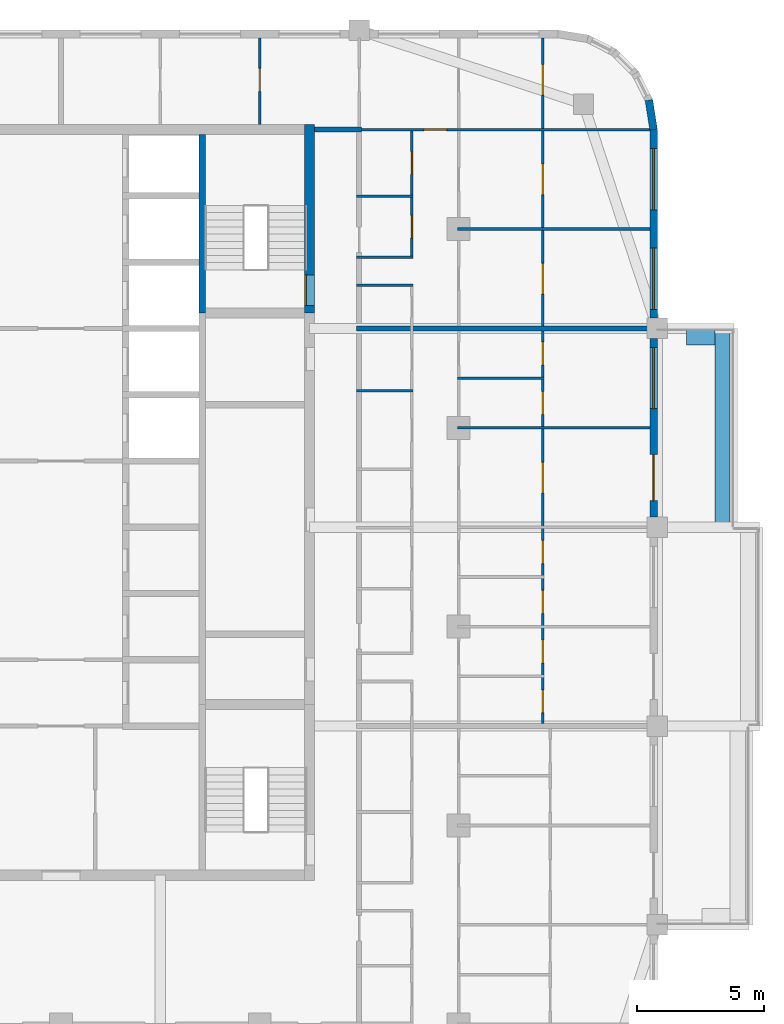
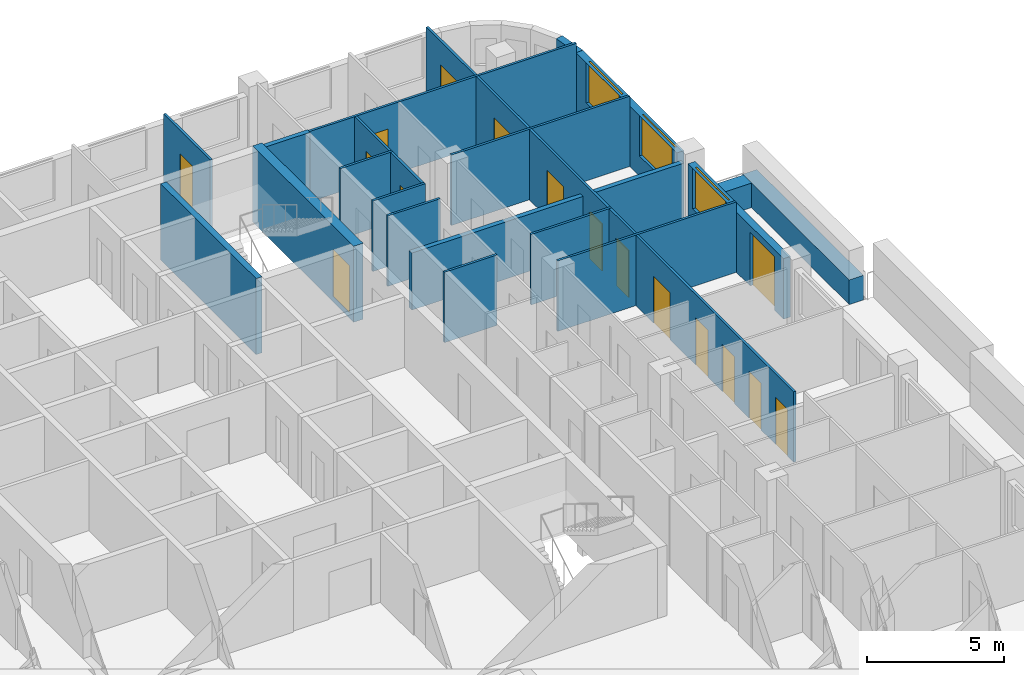
# One storey, part 11 of 16: 20 walls, 16 doors, 3 windows, 19 openings.
"""IFC4 building model written with IfcOpenShell, lengths in metres."""

import ifcopenshell
import ifcopenshell.guid

model = None  # the IFC model being written
_history = None  # IfcOwnerHistory: only IFC2X3 demands one
_inside = {}  # id of a spatial element -> (the spatial element, [elements in it])
_under = {}  # id of a project, library or spatial element -> (it, [spatial elements below it])
_declared = {}  # id of a project -> (the project, [libraries it declares])
_typed = {}  # id of a type object -> (the type object, [elements of that type])
_made_of = {}  # id of a material, layer set ... -> (it, [elements and type objects made of it])


def new_model(schema):
    """Start an empty IFC model of exactly this schema.

    Asked for "IFC4X3", IfcOpenShell would pick the latest addendum, in which some entities
    have other attributes; the version numbers below select the first issue.
    IFC2X3 requires an IfcOwnerHistory on every rooted entity: one is made here for all.
    """
    global model, _history
    if schema == "IFC4X3":
        model = ifcopenshell.file(schema_version=(4, 3, 0, 0))
    else:
        model = ifcopenshell.file(schema=schema)
    _inside.clear()
    _under.clear()
    _declared.clear()
    _typed.clear()
    _made_of.clear()
    _history = None
    if model.schema == "IFC2X3":
        org = make("IfcOrganization", Name="unknown")
        user = make(
            "IfcPersonAndOrganization",
            ThePerson=make("IfcPerson", FamilyName="unknown"),
            TheOrganization=org,
        )
        app = make(
            "IfcApplication",
            ApplicationDeveloper=org,
            Version="unknown",
            ApplicationFullName="unknown",
            ApplicationIdentifier="unknown",
        )
        _history = make(
            "IfcOwnerHistory",
            OwningUser=user,
            OwningApplication=app,
            ChangeAction="ADDED",
            CreationDate=0,
        )
    return model


def make(cls, **values):
    """One entity of the class cls with the attributes given. An attribute that is None is left unset."""
    return model.create_entity(
        cls, **{name: value for name, value in values.items() if value is not None}
    )


def rooted(cls, **values):
    """An entity with a GlobalId (a new one), such as an element, a storey or a relation."""
    return make(cls, GlobalId=ifcopenshell.guid.new(), OwnerHistory=_history, **values)


def si_unit(unit_type, name, prefix=None):
    """IfcSIUnit, for example si_unit("LENGTHUNIT", "METRE", prefix="MILLI")."""
    return make("IfcSIUnit", UnitType=unit_type, Prefix=prefix, Name=name)


def assignment(units):
    """IfcUnitAssignment: the units of a project."""
    return None if units is None else make("IfcUnitAssignment", Units=units)


def point(xyz):
    """IfcCartesianPoint."""
    return None if xyz is None else make("IfcCartesianPoint", Coordinates=xyz)


def direction(xyz):
    """IfcDirection."""
    return None if xyz is None else make("IfcDirection", DirectionRatios=xyz)


def frame(location, z_axis=None, x_axis=None):
    """IfcAxis2Placement3D, a coordinate frame: its origin and axes. An axis left out is left unset."""
    return make(
        "IfcAxis2Placement3D",
        Location=point(location),
        Axis=direction(z_axis),
        RefDirection=direction(x_axis),
    )


def frame_2d(location, x_axis=None):
    """IfcAxis2Placement2D, a coordinate frame in the plane: its origin and x axis."""
    return make(
        "IfcAxis2Placement2D", Location=point(location), RefDirection=direction(x_axis)
    )


def origin():
    """The frame at (0, 0, 0) with its axes left unset."""
    return frame((0.0, 0.0, 0.0))


def place(relative_to, where):
    """IfcLocalPlacement: puts the frame where relative to a parent placement (None: the world)."""
    return make(
        "IfcLocalPlacement", PlacementRelTo=relative_to, RelativePlacement=where
    )


def context(
    kind, dimensions, precision=None, world=None, true_north=None, identifier=None
):
    """IfcGeometricRepresentationContext, for example the 3D "Model" context."""
    return make(
        "IfcGeometricRepresentationContext",
        ContextIdentifier=identifier,
        ContextType=kind,
        CoordinateSpaceDimension=dimensions,
        Precision=precision,
        WorldCoordinateSystem=world,
        TrueNorth=true_north,
    )


def subcontext(parent, identifier, kind, view, scale=None):
    """IfcGeometricRepresentationSubContext, for example "Body" below "Model"."""
    return make(
        "IfcGeometricRepresentationSubContext",
        ContextIdentifier=identifier,
        ContextType=kind,
        ParentContext=parent,
        TargetScale=scale,
        TargetView=view,
    )


def project(units=None, contexts=None):
    """IfcProject with its units and contexts."""
    return rooted(
        "IfcProject",
        Name="project",
        RepresentationContexts=contexts,
        UnitsInContext=assignment(units),
    )


def spatial(cls, under=None, at=None, **own):
    """A site, building, storey or space (cls), placed at a placement, below another one or the project."""
    s = rooted(cls, ObjectPlacement=at, **own)
    if under is not None:
        _under.setdefault(under.id(), (under, []))[1].append(s)
    return s


def profile(cls, at=None, kind="AREA", **sizes):
    """A parametric profile (cls). Its sizes go by their IFC names, for example OverallWidth=200.0."""
    return make(cls, ProfileType=kind, Position=at, **sizes)


def rectangle(**sizes):
    """IfcRectangleProfileDef."""
    return profile("IfcRectangleProfileDef", **sizes)


def extrude(swept, where, along, depth):
    """IfcExtrudedAreaSolid: the profile swept, set in the frame where, extruded along a direction by depth."""
    return make(
        "IfcExtrudedAreaSolid",
        SweptArea=swept,
        Position=where,
        ExtrudedDirection=direction(along),
        Depth=depth,
    )


def shape(context_of_items, identifier, shape_type, items):
    """IfcShapeRepresentation: the items that make up one representation, for example the "Body"."""
    return make(
        "IfcShapeRepresentation",
        ContextOfItems=context_of_items,
        RepresentationIdentifier=identifier,
        RepresentationType=shape_type,
        Items=items,
    )


def material(Name=None, Category=None):
    """IfcMaterial."""
    return make("IfcMaterial", Name=Name, Category=Category)


def layer(
    of_material, thickness, ventilated=None, Name=None, Category=None, Priority=None
):
    """IfcMaterialLayer: one layer of a wall or slab, of a material (None: an air gap)."""
    return make(
        "IfcMaterialLayer",
        Material=of_material,
        LayerThickness=thickness,
        IsVentilated=ventilated,
        Name=Name,
        Category=Category,
        Priority=Priority,
    )


def layer_set(layers, Name=None):
    """IfcMaterialLayerSet."""
    return make("IfcMaterialLayerSet", MaterialLayers=layers, LayerSetName=Name)


def made_of(thing, what):
    """Note that an element or type object is made of a material, layer set ...; save() writes the relation."""
    if what is not None:
        _made_of.setdefault(what.id(), (what, []))[1].append(thing)
    return thing


def type_object(cls, material=None, **own):
    """A type object (cls), such as IfcWallType, which elements share."""
    return made_of(rooted(cls, **own), material)


def element(
    cls,
    number,
    at=None,
    inside=None,
    cuts=None,
    type_object=None,
    material=None,
    context=None,
    identifier="Body",
    shape_type=None,
    held_by="IfcProductDefinitionShape",
    body=None,
    shapes=None,
    **own,
):
    """One element of the class cls, such as IfcWall. Its Tag is "e" and its number.

    at: its placement. inside: the storey or other place that contains it. cuts: it is an
    opening in that element (IfcRelVoidsElement). A single representation is given by context,
    identifier, shape_type and body (its items); several are given by shapes. held_by: the class
    of the entity that holds the representations. save() writes the other relations.
    """
    e = rooted(cls, Tag="e%d" % number, ObjectPlacement=at, **own)
    if body is not None:
        shapes = [shape(context, identifier, shape_type, body)]
    if shapes is not None:
        e.Representation = make(held_by, Representations=shapes)
    if inside is not None:
        _inside.setdefault(inside.id(), (inside, []))[1].append(e)
    if cuts is not None:
        rooted(
            "IfcRelVoidsElement", RelatingBuildingElement=cuts, RelatedOpeningElement=e
        )
    if type_object is not None:
        _typed.setdefault(type_object.id(), (type_object, []))[1].append(e)
    return made_of(e, material)


def fill(opening, filler):
    """IfcRelFillsElement: the door or window that sits in an opening."""
    return rooted(
        "IfcRelFillsElement",
        RelatingOpeningElement=opening,
        RelatedBuildingElement=filler,
    )


def aggregate(whole, parts):
    """IfcRelAggregates: a whole, such as a stair, and the parts it consists of."""
    return rooted("IfcRelAggregates", RelatingObject=whole, RelatedObjects=parts)


def save(model, path):
    """Write the relations noted so far, then the file.

    IfcRelAggregates (storeys below a building ...), IfcRelContainedInSpatialStructure (elements
    in a storey), IfcRelDefinesByType, IfcRelAssociatesMaterial and IfcRelDeclares: one each for
    every whole, place, type object, material and project.
    """
    for whole, parts in _under.values():
        aggregate(whole, parts)
    for where, things in _inside.values():
        rooted(
            "IfcRelContainedInSpatialStructure",
            RelatedElements=things,
            RelatingStructure=where,
        )
    for kind, things in _typed.values():
        rooted("IfcRelDefinesByType", RelatedObjects=things, RelatingType=kind)
    for what, things in _made_of.values():
        rooted("IfcRelAssociatesMaterial", RelatedObjects=things, RelatingMaterial=what)
    for by, libraries in _declared.values():
        rooted("IfcRelDeclares", RelatingContext=by, RelatedDefinitions=libraries)
    model.write(path)


model = new_model("IFC4")

# Units and contexts
model_context = context("Model", 3, precision=1e-05, world=origin(), true_north=direction((0.0, 1.0)))
body_context = subcontext(model_context, "Body", "Model", "MODEL_VIEW")
ifc_project = project(units=[si_unit("LENGTHUNIT", "METRE"), si_unit("AREAUNIT", "SQUARE_METRE"), si_unit("VOLUMEUNIT", "CUBIC_METRE"), si_unit("PLANEANGLEUNIT", "RADIAN"), si_unit("MASSUNIT", "GRAM", prefix="KILO")], contexts=[model_context])

# Site, building, storey
site_placement = place(None, origin())
site = spatial("IfcSite", under=ifc_project, at=site_placement, CompositionType="ELEMENT")
building_placement = place(site_placement, origin())
building = spatial("IfcBuilding", under=site, at=building_placement, Name="Ludao Terraces", CompositionType="ELEMENT")
storey_placement = place(building_placement, frame((0.0, 0.0, 234.699951171875)))
storey = spatial("IfcBuildingStorey", under=building, at=storey_placement, Name="L64", CompositionType="ELEMENT", Elevation=234.699951171875)

# Wall, opening, door
ifc_material_1 = material(Name="Concrete C50", Category="concrete")
ifc_layer_1 = layer(ifc_material_1, 0.39990234375)
ifc_layer_set_1 = layer_set([ifc_layer_1], Name="Core wall 400 C50")
wall_type_1 = type_object("IfcWallType", Name="Core wall 400 C50", PredefinedType="SOLIDWALL", material=ifc_layer_set_1)
wall_1_placement = place(storey_placement, frame((94.75, 77.300048828125, -0.25), z_axis=(0.0, 0.0, 1.0), x_axis=(0.0, 1.0, 0.0)))
wall_1 = element("IfcWall", 1, at=wall_1_placement, inside=storey, type_object=wall_type_1, Name="Core wall L64 outer-E-S2", PredefinedType="SOLIDWALL", context=body_context, shape_type="SweptSolid", body=[
    extrude(rectangle(XDim=7.39990234375, YDim=0.39990234375, at=frame_2d((3.699951171875, 0.0))), origin(), (0.0, 0.0, 1.0), 3.400146484375),
])
opening_1_placement = place(wall_1_placement, frame((0.300048828125, 0.0, 0.25)))
opening_1 = element("IfcOpeningElement", 2, at=opening_1_placement, cuts=wall_1, Name="Opening R23-114", PredefinedType="OPENING", context=body_context, shape_type="SweptSolid", body=[
    extrude(rectangle(XDim=1.199951171875, YDim=2.10009765625, at=frame_2d((0.60009765625, 1.050048828125))), frame((0.0, 0.2099609375, 0.0), z_axis=(0.0, -1.0, 0.0), x_axis=(1.0, 0.0, 0.0)), (0.0, 0.0, 1.0), 0.419921875),
])
ifc_material_2 = material(Name="Steel Q235", Category="steel")
door_type_1 = type_object("IfcDoorType", Name="INT Stair door 1200", OperationType="DOUBLE_DOOR_SINGLE_SWING", PredefinedType="DOOR", material=ifc_material_2)
door_1_placement = place(opening_1_placement, origin())
door_1 = element("IfcDoor", 3, at=door_1_placement, inside=storey, type_object=door_type_1, Name="DOOR 114", OperationType="DOUBLE_DOOR_SINGLE_SWING", OverallHeight=2.10009765625, OverallWidth=1.199951171875, PredefinedType="DOOR", context=body_context, shape_type="SweptSolid", body=[
    extrude(rectangle(XDim=1.199951171875, YDim=2.10009765625, at=frame_2d((0.60009765625, 1.050048828125))), frame((0.0, 0.18505859375, 0.0), z_axis=(0.0, -1.0, 0.0), x_axis=(1.0, 0.0, 0.0)), (0.0, 0.0, 1.0), 0.050048828125),
])
fill(opening_1, door_1)

# Walls
ifc_material_3 = material(Name="Concrete C40", Category="concrete")
ifc_layer_2 = layer(ifc_material_3, 0.60009765625)
ifc_layer_set_2 = layer_set([ifc_layer_2], Name="ENV Planter trough 600")
wall_type_2 = type_object("IfcWallType", Name="ENV Planter trough 600", PredefinedType="USERDEFINED", material=ifc_layer_set_2)
wall_2_placement = place(storey_placement, frame((110.949951171875, 68.89990234375, 0.0), z_axis=(0.0, 0.0, 1.0), x_axis=(0.0, 1.0, 0.0)))
element("IfcWall", 4, at=wall_2_placement, inside=storey, type_object=wall_type_2, Name="PL-L64-E3", ObjectType="PLANTER", PredefinedType="USERDEFINED", context=body_context, shape_type="SweptSolid", body=[
    extrude(rectangle(XDim=7.800048828125, YDim=0.60009765625, at=frame_2d((3.89990234375, 0.0))), origin(), (0.0, 0.0, 1.0), 1.10009765625),
])
wall_3_placement = place(storey_placement, frame((110.64990234375, 76.35009765625, 0.0), z_axis=(0.0, 0.0, 1.0), x_axis=(-1.0, 0.0, 0.0)))
element("IfcWall", 5, at=wall_3_placement, inside=storey, type_object=wall_type_2, Name="PL-L64-E3-SB", ObjectType="PLANTER", PredefinedType="USERDEFINED", context=body_context, shape_type="SweptSolid", body=[
    extrude(rectangle(XDim=1.099853515625, YDim=0.60009765625, at=frame_2d((0.5498046875, 0.0))), origin(), (0.0, 0.0, 1.0), 1.10009765625),
])

# Wall, openings, door, window
ifc_material_4 = material(Name="Granite cladding", Category="masonry")
ifc_layer_3 = layer(ifc_material_4, 0.0400390625, Category="stone")
ifc_material_5 = material(Name="Mineral wool")
ifc_layer_4 = layer(ifc_material_5, 0.06005859375)
ifc_layer_5 = layer(ifc_material_3, 0.199951171875, Category="concrete")
ifc_layer_set_3 = layer_set([ifc_layer_3, ifc_layer_4, ifc_layer_5], Name="ENV Stone-clad wall 300")
wall_type_3 = type_object("IfcWallType", Name="ENV Stone-clad wall 300", PredefinedType="SOLIDWALL", material=ifc_layer_set_3)
wall_4_placement = place(storey_placement, frame((108.25, 69.300048828125, 0.0), z_axis=(0.0, 0.0, 1.0), x_axis=(0.0, 1.0, 0.0)))
wall_4 = element("IfcWall", 6, at=wall_4_placement, inside=storey, type_object=wall_type_3, Name="EW-L64-E4", PredefinedType="SOLIDWALL", context=body_context, shape_type="SweptSolid", body=[
    extrude(rectangle(XDim=7.0, YDim=0.300048828125, at=frame_2d((3.5, 0.0))), origin(), (0.0, 0.0, 1.0), 2.699951171875),
])
opening_2_placement = place(wall_4_placement, frame((0.64990234375, 0.0, 0.0)))
opening_2 = element("IfcOpeningElement", 7, at=opening_2_placement, cuts=wall_4, Name="Opening BD", PredefinedType="OPENING", context=body_context, shape_type="SweptSolid", body=[
    extrude(rectangle(XDim=1.800048828125, YDim=2.39990234375, at=frame_2d((0.89990234375, 1.199951171875))), frame((0.0, 0.16015625, 0.0), z_axis=(0.0, -1.0, 0.0), x_axis=(1.0, 0.0, 0.0)), (0.0, 0.0, 1.0), 0.320068359375),
])
opening_3_placement = place(wall_4_placement, frame((4.25, 0.0, 0.89990234375)))
opening_3 = element("IfcOpeningElement", 8, at=opening_3_placement, cuts=wall_4, Name="Opening W1", PredefinedType="OPENING", context=body_context, shape_type="SweptSolid", body=[
    extrude(rectangle(XDim=2.39990234375, YDim=1.800048828125, at=frame_2d((1.199951171875, 0.89990234375))), frame((0.0, 0.16015625, 0.0), z_axis=(0.0, -1.0, 0.0), x_axis=(1.0, 0.0, 0.0)), (0.0, 0.0, 1.0), 0.320068359375),
])
ifc_material_6 = material(Name="Aluminium glazed door", Category="aluminium")
ifc_layer_6 = layer(ifc_material_6, 0.06005859375)
ifc_layer_set_4 = layer_set([ifc_layer_6], Name="ENV Balcony door BD 1800x2400")
door_type_2 = type_object("IfcDoorType", Name="ENV Balcony door BD 1800x2400", OperationType="DOUBLE_DOOR_SINGLE_SWING", PredefinedType="DOOR", material=ifc_layer_set_4)
door_2_placement = place(opening_2_placement, origin())
door_2 = element("IfcDoor", 9, at=door_2_placement, inside=storey, type_object=door_type_2, Name="BD-L64-E4-1", OperationType="DOUBLE_DOOR_SINGLE_SWING", OverallHeight=2.39990234375, OverallWidth=1.800048828125, PredefinedType="DOOR", context=body_context, shape_type="SweptSolid", body=[
    extrude(rectangle(XDim=1.800048828125, YDim=2.39990234375, at=frame_2d((0.89990234375, 1.199951171875))), frame((0.0, 0.02490234375, 0.0), z_axis=(0.0, -1.0, 0.0), x_axis=(1.0, 0.0, 0.0)), (0.0, 0.0, 1.0), 0.050048828125),
])
fill(opening_2, door_2)
ifc_material_7 = material(Name="Clear glass in aluminium frame", Category="aluminium")
ifc_layer_7 = layer(ifc_material_7, 0.06005859375)
ifc_layer_set_5 = layer_set([ifc_layer_7], Name="ENV Window W1 2400x1800")
window_type = type_object("IfcWindowType", Name="ENV Window W1 2400x1800", PartitioningType="DOUBLE_PANEL_VERTICAL", PredefinedType="WINDOW", material=ifc_layer_set_5)
window_1_placement = place(opening_3_placement, origin())
window_1 = element("IfcWindow", 10, at=window_1_placement, inside=storey, type_object=window_type, Name="W-L64-E4-2", OverallHeight=1.800048828125, OverallWidth=2.39990234375, PartitioningType="DOUBLE_PANEL_VERTICAL", PredefinedType="WINDOW", context=body_context, shape_type="SweptSolid", body=[
    extrude(rectangle(XDim=2.39990234375, YDim=1.800048828125, at=frame_2d((1.199951171875, 0.89990234375))), frame((0.0, 0.030029296875, 0.0), z_axis=(0.0, -1.0, 0.0), x_axis=(1.0, 0.0, 0.0)), (0.0, 0.0, 1.0), 0.06005859375),
])
fill(opening_3, window_1)

# Wall, openings, windows
wall_5_placement = place(storey_placement, frame((108.25, 77.10009765625, 0.0), z_axis=(0.0, 0.0, 1.0), x_axis=(0.0, 1.0, 0.0)))
wall_5 = element("IfcWall", 11, at=wall_5_placement, inside=storey, type_object=wall_type_3, Name="EW-L64-E5", PredefinedType="SOLIDWALL", context=body_context, shape_type="SweptSolid", body=[
    extrude(rectangle(XDim=7.39990234375, YDim=0.300048828125, at=frame_2d((3.699951171875, 0.0))), origin(), (0.0, 0.0, 1.0), 2.699951171875),
])
opening_4_placement = place(wall_5_placement, frame((0.35009765625, 0.0, 0.89990234375)))
opening_4 = element("IfcOpeningElement", 12, at=opening_4_placement, cuts=wall_5, Name="Opening W1", PredefinedType="OPENING", context=body_context, shape_type="SweptSolid", body=[
    extrude(rectangle(XDim=2.39990234375, YDim=1.800048828125, at=frame_2d((1.199951171875, 0.89990234375))), frame((0.0, 0.16015625, 0.0), z_axis=(0.0, -1.0, 0.0), x_axis=(1.0, 0.0, 0.0)), (0.0, 0.0, 1.0), 0.320068359375),
])
opening_5_placement = place(wall_5_placement, frame((4.25, 0.0, 0.89990234375)))
opening_5 = element("IfcOpeningElement", 13, at=opening_5_placement, cuts=wall_5, Name="Opening W1", PredefinedType="OPENING", context=body_context, shape_type="SweptSolid", body=[
    extrude(rectangle(XDim=2.39990234375, YDim=1.800048828125, at=frame_2d((1.199951171875, 0.89990234375))), frame((0.0, 0.16015625, 0.0), z_axis=(0.0, -1.0, 0.0), x_axis=(1.0, 0.0, 0.0)), (0.0, 0.0, 1.0), 0.320068359375),
])
window_2_placement = place(opening_4_placement, origin())
window_2 = element("IfcWindow", 14, at=window_2_placement, inside=storey, type_object=window_type, Name="W-L64-E5-1", OverallHeight=1.800048828125, OverallWidth=2.39990234375, PartitioningType="DOUBLE_PANEL_VERTICAL", PredefinedType="WINDOW", context=body_context, shape_type="SweptSolid", body=[
    extrude(rectangle(XDim=2.39990234375, YDim=1.800048828125, at=frame_2d((1.199951171875, 0.89990234375))), frame((0.0, 0.030029296875, 0.0), z_axis=(0.0, -1.0, 0.0), x_axis=(1.0, 0.0, 0.0)), (0.0, 0.0, 1.0), 0.06005859375),
])
fill(opening_4, window_2)
window_3_placement = place(opening_5_placement, origin())
window_3 = element("IfcWindow", 15, at=window_3_placement, inside=storey, type_object=window_type, Name="W-L64-E5-2", OverallHeight=1.800048828125, OverallWidth=2.39990234375, PartitioningType="DOUBLE_PANEL_VERTICAL", PredefinedType="WINDOW", context=body_context, shape_type="SweptSolid", body=[
    extrude(rectangle(XDim=2.39990234375, YDim=1.800048828125, at=frame_2d((1.199951171875, 0.89990234375))), frame((0.0, 0.030029296875, 0.0), z_axis=(0.0, -1.0, 0.0), x_axis=(1.0, 0.0, 0.0)), (0.0, 0.0, 1.0), 0.06005859375),
])
fill(opening_5, window_3)

# Walls
wall_6_placement = place(storey_placement, frame((108.25, 84.5, 0.0), z_axis=(0.0, 0.0, 1.0), x_axis=(-0.156496880861, 0.987678452879, 0.0)))
element("IfcWall", 16, at=wall_6_placement, inside=storey, type_object=wall_type_3, Name="EW-L64-NE1", PredefinedType="SOLIDWALL", context=body_context, shape_type="SweptSolid", body=[
    extrude(rectangle(XDim=1.173095703125, YDim=0.300048828125, at=frame_2d((0.58642578125, 0.0))), origin(), (0.0, 0.0, 1.0), 2.699951171875),
])
ifc_material_8 = material(Name="Autoclaved aerated concrete block B06 A3.5", Category="concrete")
ifc_layer_8 = layer(ifc_material_8, 0.199951171875)
ifc_layer_set_6 = layer_set([ifc_layer_8], Name="INT Entrance wall 200")
wall_type_4 = type_object("IfcWallType", Name="INT Entrance wall 200", PredefinedType="PARTITIONING", material=ifc_layer_set_6)
wall_7_placement = place(storey_placement, frame((94.9501953125, 84.5, 0.0), z_axis=(0.0, 0.0, 1.0), x_axis=(1.0, 0.0, 0.0)))
element("IfcWall", 17, at=wall_7_placement, inside=storey, type_object=wall_type_4, Name="PW-L64-PW069", PredefinedType="PARTITIONING", context=body_context, shape_type="SweptSolid", body=[
    extrude(rectangle(XDim=1.849853515625, YDim=0.199951171875, at=frame_2d((0.9248046875, 0.0))), origin(), (0.0, 0.0, 1.0), 3.150146484375),
])
ifc_material_9 = material(Name="Gypsum plasterboard", Category="gypsum")
ifc_layer_9 = layer(ifc_material_9, 0.012451171875, Category="gypsum")
ifc_layer_10 = layer(ifc_material_5, 0.06005859375, Name="insulation")
ifc_layer_11 = layer(ifc_material_2, 0.014892578125, Name="stud")
ifc_layer_12 = layer(ifc_material_9, 0.012451171875, Category="gypsum")
ifc_layer_set_7 = layer_set([ifc_layer_9, ifc_layer_10, ifc_layer_11, ifc_layer_12], Name="INT Partition 100")
wall_type_5 = type_object("IfcWallType", Name="INT Partition 100", PredefinedType="PARTITIONING", material=ifc_layer_set_7)
wall_8_placement = place(storey_placement, frame((100.550048828125, 72.800048828125, 0.0), z_axis=(0.0, 0.0, 1.0), x_axis=(1.0, 0.0, 0.0)))
element("IfcWall", 18, at=wall_8_placement, inside=storey, type_object=wall_type_5, Name="PW-L64-PW052", PredefinedType="PARTITIONING", context=body_context, shape_type="SweptSolid", body=[
    extrude(rectangle(XDim=7.550048828125, YDim=0.10009765625, at=frame_2d((3.77490234375, 0.0))), origin(), (0.0, 0.0, 1.0), 3.150146484375),
])
wall_9_placement = place(storey_placement, frame((96.60009765625, 74.25, 0.0), z_axis=(0.0, 0.0, 1.0), x_axis=(1.0, 0.0, 0.0)))
element("IfcWall", 19, at=wall_9_placement, inside=storey, type_object=wall_type_5, Name="PW-L64-PW054", PredefinedType="PARTITIONING", context=body_context, shape_type="SweptSolid", body=[
    extrude(rectangle(XDim=2.219970703125, YDim=0.10009765625, at=frame_2d((1.10986328125, 0.0))), origin(), (0.0, 0.0, 1.0), 3.150146484375),
])
wall_10_placement = place(storey_placement, frame((100.550048828125, 74.75, 0.0), z_axis=(0.0, 0.0, 1.0), x_axis=(1.0, 0.0, 0.0)))
element("IfcWall", 20, at=wall_10_placement, inside=storey, type_object=wall_type_5, Name="PW-L64-PW055", PredefinedType="PARTITIONING", context=body_context, shape_type="SweptSolid", body=[
    extrude(rectangle(XDim=3.400146484375, YDim=0.10009765625, at=frame_2d((1.7001953125, 0.0))), origin(), (0.0, 0.0, 1.0), 3.150146484375),
])
for number, where, z_axis, x_axis, name in (
    (21, (96.60009765625, 78.39990234375, 0.0), (0.0, 0.0, 1.0), (1.0, 0.0, 0.0), "PW-L64-PW059"),
    (22, (96.60009765625, 79.5, 0.0), (0.0, 0.0, 1.0), (1.0, 0.0, 0.0), "PW-L64-PW061"),
):
    element("IfcWall", number, at=place(storey_placement, frame(where, z_axis=z_axis, x_axis=x_axis)), inside=storey, type_object=wall_type_5, Name=name, PredefinedType="PARTITIONING", context=body_context, shape_type="SweptSolid", body=[
        extrude(rectangle(XDim=2.219970703125, YDim=0.10009765625, at=frame_2d((1.10986328125, 0.0))), origin(), (0.0, 0.0, 1.0), 3.150146484375),
    ])
wall_11_placement = place(storey_placement, frame((100.550048828125, 80.60009765625, 0.0), z_axis=(0.0, 0.0, 1.0), x_axis=(1.0, 0.0, 0.0)))
element("IfcWall", 23, at=wall_11_placement, inside=storey, type_object=wall_type_5, Name="PW-L64-PW063", PredefinedType="PARTITIONING", context=body_context, shape_type="SweptSolid", body=[
    extrude(rectangle(XDim=7.550048828125, YDim=0.10009765625, at=frame_2d((3.77490234375, 0.0))), origin(), (0.0, 0.0, 1.0), 3.150146484375),
])
wall_12_placement = place(storey_placement, frame((96.60009765625, 81.8798828125, 0.0), z_axis=(0.0, 0.0, 1.0), x_axis=(1.0, 0.0, 0.0)))
element("IfcWall", 24, at=wall_12_placement, inside=storey, type_object=wall_type_5, Name="PW-L64-PW065", PredefinedType="PARTITIONING", context=body_context, shape_type="SweptSolid", body=[
    extrude(rectangle(XDim=2.219970703125, YDim=0.10009765625, at=frame_2d((1.10986328125, 0.0))), origin(), (0.0, 0.0, 1.0), 3.150146484375),
])

# Wall, opening, door
wall_13_placement = place(storey_placement, frame((96.60009765625, 84.5, 0.0), z_axis=(0.0, 0.0, 1.0), x_axis=(1.0, 0.0, 0.0)))
wall_13 = element("IfcWall", 25, at=wall_13_placement, inside=storey, type_object=wall_type_5, Name="PW-L64-PW070", PredefinedType="PARTITIONING", context=body_context, shape_type="SweptSolid", body=[
    extrude(rectangle(XDim=11.5, YDim=0.10009765625, at=frame_2d((5.75, 0.0))), origin(), (0.0, 0.0, 1.0), 3.150146484375),
])
opening_6_placement = place(wall_13_placement, frame((2.635009765625, 0.0, 0.0)))
opening_6 = element("IfcOpeningElement", 26, at=opening_6_placement, cuts=wall_13, Name="Opening R23-134", PredefinedType="OPENING", context=body_context, shape_type="SweptSolid", body=[
    extrude(rectangle(XDim=0.89990234375, YDim=2.10009765625, at=frame_2d((0.449951171875, 1.050048828125))), frame((0.0, 0.06005859375, 0.0), z_axis=(0.0, -1.0, 0.0), x_axis=(1.0, 0.0, 0.0)), (0.0, 0.0, 1.0), 0.1201171875),
])
ifc_material_10 = material(Name="Timber door leaf", Category="wood")
door_type_3 = type_object("IfcDoorType", Name="INT Room door 900", OperationType="SINGLE_SWING_LEFT", PredefinedType="DOOR", material=ifc_material_10)
door_3_placement = place(opening_6_placement, origin())
door_3 = element("IfcDoor", 27, at=door_3_placement, inside=storey, type_object=door_type_3, Name="DOOR 134", OperationType="SINGLE_SWING_RIGHT", OverallHeight=2.10009765625, OverallWidth=0.89990234375, PredefinedType="DOOR", context=body_context, shape_type="SweptSolid", body=[
    extrude(rectangle(XDim=0.89990234375, YDim=2.10009765625, at=frame_2d((0.449951171875, 1.050048828125))), frame((0.0, 0.02490234375, 0.0), z_axis=(0.0, -1.0, 0.0), x_axis=(1.0, 0.0, 0.0)), (0.0, 0.0, 1.0), 0.050048828125),
])
fill(opening_6, door_3)

wall_14_placement = place(storey_placement, frame((92.800048828125, 84.7001953125, 0.0), z_axis=(0.0, 0.0, 1.0), x_axis=(0.0, 1.0, 0.0)))
wall_14 = element("IfcWall", 28, at=wall_14_placement, inside=storey, type_object=wall_type_5, Name="PW-L64-PW091", PredefinedType="PARTITIONING", context=body_context, shape_type="SweptSolid", body=[
    extrude(rectangle(XDim=3.39990234375, YDim=0.10009765625, at=frame_2d((1.699951171875, 0.0))), origin(), (0.0, 0.0, 1.0), 3.150146484375),
])
opening_7_placement = place(wall_14_placement, frame((1.2998046875, 0.0, 0.0)))
opening_7 = element("IfcOpeningElement", 29, at=opening_7_placement, cuts=wall_14, Name="Opening R23-141", PredefinedType="OPENING", context=body_context, shape_type="SweptSolid", body=[
    extrude(rectangle(XDim=0.89990234375, YDim=2.10009765625, at=frame_2d((0.449951171875, 1.050048828125))), frame((0.0, 0.06005859375, 0.0), z_axis=(0.0, -1.0, 0.0), x_axis=(1.0, 0.0, 0.0)), (0.0, 0.0, 1.0), 0.1201171875),
])
door_4_placement = place(opening_7_placement, origin())
door_4 = element("IfcDoor", 30, at=door_4_placement, inside=storey, type_object=door_type_3, Name="DOOR 141", OperationType="SINGLE_SWING_RIGHT", OverallHeight=2.10009765625, OverallWidth=0.89990234375, PredefinedType="DOOR", context=body_context, shape_type="SweptSolid", body=[
    extrude(rectangle(XDim=0.89990234375, YDim=2.10009765625, at=frame_2d((0.449951171875, 1.050048828125))), frame((0.0, 0.02490234375, 0.0), z_axis=(0.0, -1.0, 0.0), x_axis=(1.0, 0.0, 0.0)), (0.0, 0.0, 1.0), 0.050048828125),
])
fill(opening_7, door_4)

# Wall, openings, doors
wall_15_placement = place(storey_placement, frame((98.77001953125, 79.550048828125, 0.0), z_axis=(0.0, 0.0, 1.0), x_axis=(0.0, 1.0, 0.0)))
wall_15 = element("IfcWall", 31, at=wall_15_placement, inside=storey, type_object=wall_type_5, Name="PW-L64-PW098", PredefinedType="PARTITIONING", context=body_context, shape_type="SweptSolid", body=[
    extrude(rectangle(XDim=4.900146484375, YDim=0.10009765625, at=frame_2d((2.4501953125, 0.0))), origin(), (0.0, 0.0, 1.0), 3.150146484375),
])
opening_8_placement = place(wall_15_placement, frame((0.68994140625, 0.0, 0.0)))
opening_8 = element("IfcOpeningElement", 32, at=opening_8_placement, cuts=wall_15, Name="Opening R23-123", PredefinedType="OPENING", context=body_context, shape_type="SweptSolid", body=[
    extrude(rectangle(XDim=0.89990234375, YDim=2.10009765625, at=frame_2d((0.449951171875, 1.050048828125))), frame((0.0, 0.06005859375, 0.0), z_axis=(0.0, -1.0, 0.0), x_axis=(1.0, 0.0, 0.0)), (0.0, 0.0, 1.0), 0.1201171875),
])
opening_9_placement = place(wall_15_placement, frame((3.18994140625, 0.0, 0.0)))
opening_9 = element("IfcOpeningElement", 33, at=opening_9_placement, cuts=wall_15, Name="Opening R23-128", PredefinedType="OPENING", context=body_context, shape_type="SweptSolid", body=[
    extrude(rectangle(XDim=0.89990234375, YDim=2.10009765625, at=frame_2d((0.449951171875, 1.050048828125))), frame((0.0, 0.06005859375, 0.0), z_axis=(0.0, -1.0, 0.0), x_axis=(1.0, 0.0, 0.0)), (0.0, 0.0, 1.0), 0.1201171875),
])
door_type_4 = type_object("IfcDoorType", Name="INT Bathroom door 900", OperationType="SINGLE_SWING_LEFT", PredefinedType="DOOR", material=ifc_material_10)
door_5_placement = place(opening_8_placement, origin())
door_5 = element("IfcDoor", 34, at=door_5_placement, inside=storey, type_object=door_type_4, Name="DOOR 123", OperationType="SINGLE_SWING_RIGHT", OverallHeight=2.10009765625, OverallWidth=0.89990234375, PredefinedType="DOOR", context=body_context, shape_type="SweptSolid", body=[
    extrude(rectangle(XDim=0.89990234375, YDim=2.10009765625, at=frame_2d((0.449951171875, 1.050048828125))), frame((0.0, 0.02490234375, 0.0), z_axis=(0.0, -1.0, 0.0), x_axis=(1.0, 0.0, 0.0)), (0.0, 0.0, 1.0), 0.050048828125),
])
fill(opening_8, door_5)
door_6_placement = place(opening_9_placement, origin())
door_6 = element("IfcDoor", 35, at=door_6_placement, inside=storey, type_object=door_type_3, Name="DOOR 128", OperationType="SINGLE_SWING_LEFT", OverallHeight=2.10009765625, OverallWidth=0.89990234375, PredefinedType="DOOR", context=body_context, shape_type="SweptSolid", body=[
    extrude(rectangle(XDim=0.89990234375, YDim=2.10009765625, at=frame_2d((0.449951171875, 1.050048828125))), frame((0.0, 0.02490234375, 0.0), z_axis=(0.0, -1.0, 0.0), x_axis=(1.0, 0.0, 0.0)), (0.0, 0.0, 1.0), 0.050048828125),
])
fill(opening_9, door_6)

wall_16_placement = place(storey_placement, frame((103.89990234375, 61.2001953125, 0.0), z_axis=(0.0, 0.0, 1.0), x_axis=(0.0, 1.0, 0.0)))
wall_16 = element("IfcWall", 36, at=wall_16_placement, inside=storey, type_object=wall_type_5, Name="PW-L64-PW100", PredefinedType="PARTITIONING", context=body_context, shape_type="SweptSolid", body=[
    extrude(rectangle(XDim=26.89990234375, YDim=0.10009765625, at=frame_2d((13.449951171875, 0.0))), origin(), (0.0, 0.0, 1.0), 3.150146484375),
])
opening_10_placement = place(wall_16_placement, frame((0.4248046875, 0.0, 0.0)))
opening_10 = element("IfcOpeningElement", 37, at=opening_10_placement, cuts=wall_16, Name="Opening R23-055", PredefinedType="OPENING", context=body_context, shape_type="SweptSolid", body=[
    extrude(rectangle(XDim=0.89990234375, YDim=2.10009765625, at=frame_2d((0.449951171875, 1.050048828125))), frame((0.0, 0.06005859375, 0.0), z_axis=(0.0, -1.0, 0.0), x_axis=(1.0, 0.0, 0.0)), (0.0, 0.0, 1.0), 0.1201171875),
])
opening_11_placement = place(wall_16_placement, frame((2.375, 0.0, 0.0)))
opening_11 = element("IfcOpeningElement", 38, at=opening_11_placement, cuts=wall_16, Name="Opening R23-064", PredefinedType="OPENING", context=body_context, shape_type="SweptSolid", body=[
    extrude(rectangle(XDim=0.89990234375, YDim=2.10009765625, at=frame_2d((0.449951171875, 1.050048828125))), frame((0.0, 0.06005859375, 0.0), z_axis=(0.0, -1.0, 0.0), x_axis=(1.0, 0.0, 0.0)), (0.0, 0.0, 1.0), 0.1201171875),
])
opening_12_placement = place(wall_16_placement, frame((4.324951171875, 0.0, 0.0)))
opening_12 = element("IfcOpeningElement", 39, at=opening_12_placement, cuts=wall_16, Name="Opening R23-072", PredefinedType="OPENING", context=body_context, shape_type="SweptSolid", body=[
    extrude(rectangle(XDim=0.89990234375, YDim=2.10009765625, at=frame_2d((0.449951171875, 1.050048828125))), frame((0.0, 0.06005859375, 0.0), z_axis=(0.0, -1.0, 0.0), x_axis=(1.0, 0.0, 0.0)), (0.0, 0.0, 1.0), 0.1201171875),
])
opening_13_placement = place(wall_16_placement, frame((6.27490234375, 0.0, 0.0)))
opening_13 = element("IfcOpeningElement", 40, at=opening_13_placement, cuts=wall_16, Name="Opening R23-081", PredefinedType="OPENING", context=body_context, shape_type="SweptSolid", body=[
    extrude(rectangle(XDim=0.89990234375, YDim=2.10009765625, at=frame_2d((0.449951171875, 1.050048828125))), frame((0.0, 0.06005859375, 0.0), z_axis=(0.0, -1.0, 0.0), x_axis=(1.0, 0.0, 0.0)), (0.0, 0.0, 1.0), 0.1201171875),
])
opening_14_placement = place(wall_16_placement, frame((9.0498046875, 0.0, 0.0)))
opening_14 = element("IfcOpeningElement", 41, at=opening_14_placement, cuts=wall_16, Name="Opening R23-090", PredefinedType="OPENING", context=body_context, shape_type="SweptSolid", body=[
    extrude(rectangle(XDim=1.199951171875, YDim=2.10009765625, at=frame_2d((0.60009765625, 1.050048828125))), frame((0.0, 0.06005859375, 0.0), z_axis=(0.0, -1.0, 0.0), x_axis=(1.0, 0.0, 0.0)), (0.0, 0.0, 1.0), 0.1201171875),
])
opening_15_placement = place(wall_16_placement, frame((12.125, 0.0, 0.0)))
opening_15 = element("IfcOpeningElement", 42, at=opening_15_placement, cuts=wall_16, Name="Opening R23-097", PredefinedType="OPENING", context=body_context, shape_type="SweptSolid", body=[
    extrude(rectangle(XDim=0.89990234375, YDim=2.10009765625, at=frame_2d((0.449951171875, 1.050048828125))), frame((0.0, 0.06005859375, 0.0), z_axis=(0.0, -1.0, 0.0), x_axis=(1.0, 0.0, 0.0)), (0.0, 0.0, 1.0), 0.1201171875),
])
opening_16_placement = place(wall_16_placement, frame((14.074951171875, 0.0, 0.0)))
opening_16 = element("IfcOpeningElement", 43, at=opening_16_placement, cuts=wall_16, Name="Opening R23-107", PredefinedType="OPENING", context=body_context, shape_type="SweptSolid", body=[
    extrude(rectangle(XDim=0.89990234375, YDim=2.10009765625, at=frame_2d((0.449951171875, 1.050048828125))), frame((0.0, 0.06005859375, 0.0), z_axis=(0.0, -1.0, 0.0), x_axis=(1.0, 0.0, 0.0)), (0.0, 0.0, 1.0), 0.1201171875),
])
opening_17_placement = place(wall_16_placement, frame((16.849853515625, 0.0, 0.0)))
opening_17 = element("IfcOpeningElement", 44, at=opening_17_placement, cuts=wall_16, Name="Opening R23-118", PredefinedType="OPENING", context=body_context, shape_type="SweptSolid", body=[
    extrude(rectangle(XDim=1.199951171875, YDim=2.10009765625, at=frame_2d((0.60009765625, 1.050048828125))), frame((0.0, 0.06005859375, 0.0), z_axis=(0.0, -1.0, 0.0), x_axis=(1.0, 0.0, 0.0)), (0.0, 0.0, 1.0), 0.1201171875),
])
opening_18_placement = place(wall_16_placement, frame((20.75, 0.0, 0.0)))
opening_18 = element("IfcOpeningElement", 45, at=opening_18_placement, cuts=wall_16, Name="Opening R23-127", PredefinedType="OPENING", context=body_context, shape_type="SweptSolid", body=[
    extrude(rectangle(XDim=1.199951171875, YDim=2.10009765625, at=frame_2d((0.60009765625, 1.050048828125))), frame((0.0, 0.06005859375, 0.0), z_axis=(0.0, -1.0, 0.0), x_axis=(1.0, 0.0, 0.0)), (0.0, 0.0, 1.0), 0.1201171875),
])
opening_19_placement = place(wall_16_placement, frame((24.64990234375, 0.0, 0.0)))
opening_19 = element("IfcOpeningElement", 46, at=opening_19_placement, cuts=wall_16, Name="Opening R23-144", PredefinedType="OPENING", context=body_context, shape_type="SweptSolid", body=[
    extrude(rectangle(XDim=1.199951171875, YDim=2.10009765625, at=frame_2d((0.60009765625, 1.050048828125))), frame((0.0, 0.06005859375, 0.0), z_axis=(0.0, -1.0, 0.0), x_axis=(1.0, 0.0, 0.0)), (0.0, 0.0, 1.0), 0.1201171875),
])
door_7_placement = place(opening_10_placement, origin())
door_7 = element("IfcDoor", 47, at=door_7_placement, inside=storey, type_object=door_type_4, Name="DOOR 055", OperationType="SINGLE_SWING_LEFT", OverallHeight=2.10009765625, OverallWidth=0.89990234375, PredefinedType="DOOR", context=body_context, shape_type="SweptSolid", body=[
    extrude(rectangle(XDim=0.89990234375, YDim=2.10009765625, at=frame_2d((0.449951171875, 1.050048828125))), frame((0.0, 0.02490234375, 0.0), z_axis=(0.0, -1.0, 0.0), x_axis=(1.0, 0.0, 0.0)), (0.0, 0.0, 1.0), 0.050048828125),
])
fill(opening_10, door_7)
door_8_placement = place(opening_12_placement, origin())
door_8 = element("IfcDoor", 48, at=door_8_placement, inside=storey, type_object=door_type_4, Name="DOOR 072", OperationType="SINGLE_SWING_RIGHT", OverallHeight=2.10009765625, OverallWidth=0.89990234375, PredefinedType="DOOR", context=body_context, shape_type="SweptSolid", body=[
    extrude(rectangle(XDim=0.89990234375, YDim=2.10009765625, at=frame_2d((0.449951171875, 1.050048828125))), frame((0.0, 0.02490234375, 0.0), z_axis=(0.0, -1.0, 0.0), x_axis=(1.0, 0.0, 0.0)), (0.0, 0.0, 1.0), 0.050048828125),
])
fill(opening_12, door_8)
door_9_placement = place(opening_15_placement, origin())
door_9 = element("IfcDoor", 49, at=door_9_placement, inside=storey, type_object=door_type_4, Name="DOOR 097", OperationType="SINGLE_SWING_LEFT", OverallHeight=2.10009765625, OverallWidth=0.89990234375, PredefinedType="DOOR", context=body_context, shape_type="SweptSolid", body=[
    extrude(rectangle(XDim=0.89990234375, YDim=2.10009765625, at=frame_2d((0.449951171875, 1.050048828125))), frame((0.0, 0.02490234375, 0.0), z_axis=(0.0, -1.0, 0.0), x_axis=(1.0, 0.0, 0.0)), (0.0, 0.0, 1.0), 0.050048828125),
])
fill(opening_15, door_9)
door_type_5 = type_object("IfcDoorType", Name="INT Double door 1200", OperationType="DOUBLE_DOOR_SINGLE_SWING", PredefinedType="DOOR", material=ifc_material_10)
door_10_placement = place(opening_14_placement, origin())
door_10 = element("IfcDoor", 50, at=door_10_placement, inside=storey, type_object=door_type_5, Name="DOOR 090", OperationType="DOUBLE_DOOR_SINGLE_SWING", OverallHeight=2.10009765625, OverallWidth=1.199951171875, PredefinedType="DOOR", context=body_context, shape_type="SweptSolid", body=[
    extrude(rectangle(XDim=1.199951171875, YDim=2.10009765625, at=frame_2d((0.60009765625, 1.050048828125))), frame((0.0, 0.02490234375, 0.0), z_axis=(0.0, -1.0, 0.0), x_axis=(1.0, 0.0, 0.0)), (0.0, 0.0, 1.0), 0.050048828125),
])
fill(opening_14, door_10)
door_11_placement = place(opening_17_placement, origin())
door_11 = element("IfcDoor", 51, at=door_11_placement, inside=storey, type_object=door_type_5, Name="DOOR 118", OperationType="DOUBLE_DOOR_SINGLE_SWING", OverallHeight=2.10009765625, OverallWidth=1.199951171875, PredefinedType="DOOR", context=body_context, shape_type="SweptSolid", body=[
    extrude(rectangle(XDim=1.199951171875, YDim=2.10009765625, at=frame_2d((0.60009765625, 1.050048828125))), frame((0.0, 0.02490234375, 0.0), z_axis=(0.0, -1.0, 0.0), x_axis=(1.0, 0.0, 0.0)), (0.0, 0.0, 1.0), 0.050048828125),
])
fill(opening_17, door_11)
door_12_placement = place(opening_18_placement, origin())
door_12 = element("IfcDoor", 52, at=door_12_placement, inside=storey, type_object=door_type_5, Name="DOOR 127", OperationType="DOUBLE_DOOR_SINGLE_SWING", OverallHeight=2.10009765625, OverallWidth=1.199951171875, PredefinedType="DOOR", context=body_context, shape_type="SweptSolid", body=[
    extrude(rectangle(XDim=1.199951171875, YDim=2.10009765625, at=frame_2d((0.60009765625, 1.050048828125))), frame((0.0, 0.02490234375, 0.0), z_axis=(0.0, -1.0, 0.0), x_axis=(1.0, 0.0, 0.0)), (0.0, 0.0, 1.0), 0.050048828125),
])
fill(opening_18, door_12)
door_13_placement = place(opening_19_placement, origin())
door_13 = element("IfcDoor", 53, at=door_13_placement, inside=storey, type_object=door_type_5, Name="DOOR 144", OperationType="DOUBLE_DOOR_SINGLE_SWING", OverallHeight=2.10009765625, OverallWidth=1.199951171875, PredefinedType="DOOR", context=body_context, shape_type="SweptSolid", body=[
    extrude(rectangle(XDim=1.199951171875, YDim=2.10009765625, at=frame_2d((0.60009765625, 1.050048828125))), frame((0.0, 0.02490234375, 0.0), z_axis=(0.0, -1.0, 0.0), x_axis=(1.0, 0.0, 0.0)), (0.0, 0.0, 1.0), 0.050048828125),
])
fill(opening_19, door_13)
door_14_placement = place(opening_11_placement, origin())
door_14 = element("IfcDoor", 54, at=door_14_placement, inside=storey, type_object=door_type_3, Name="DOOR 064", OperationType="SINGLE_SWING_LEFT", OverallHeight=2.10009765625, OverallWidth=0.89990234375, PredefinedType="DOOR", context=body_context, shape_type="SweptSolid", body=[
    extrude(rectangle(XDim=0.89990234375, YDim=2.10009765625, at=frame_2d((0.449951171875, 1.050048828125))), frame((0.0, 0.02490234375, 0.0), z_axis=(0.0, -1.0, 0.0), x_axis=(1.0, 0.0, 0.0)), (0.0, 0.0, 1.0), 0.050048828125),
])
fill(opening_11, door_14)
door_15_placement = place(opening_13_placement, origin())
door_15 = element("IfcDoor", 55, at=door_15_placement, inside=storey, type_object=door_type_3, Name="DOOR 081", OperationType="SINGLE_SWING_LEFT", OverallHeight=2.10009765625, OverallWidth=0.89990234375, PredefinedType="DOOR", context=body_context, shape_type="SweptSolid", body=[
    extrude(rectangle(XDim=0.89990234375, YDim=2.10009765625, at=frame_2d((0.449951171875, 1.050048828125))), frame((0.0, 0.02490234375, 0.0), z_axis=(0.0, -1.0, 0.0), x_axis=(1.0, 0.0, 0.0)), (0.0, 0.0, 1.0), 0.050048828125),
])
fill(opening_13, door_15)
door_16_placement = place(opening_16_placement, origin())
door_16 = element("IfcDoor", 56, at=door_16_placement, inside=storey, type_object=door_type_3, Name="DOOR 107", OperationType="SINGLE_SWING_RIGHT", OverallHeight=2.10009765625, OverallWidth=0.89990234375, PredefinedType="DOOR", context=body_context, shape_type="SweptSolid", body=[
    extrude(rectangle(XDim=0.89990234375, YDim=2.10009765625, at=frame_2d((0.449951171875, 1.050048828125))), frame((0.0, 0.02490234375, 0.0), z_axis=(0.0, -1.0, 0.0), x_axis=(1.0, 0.0, 0.0)), (0.0, 0.0, 1.0), 0.050048828125),
])
fill(opening_16, door_16)

# Walls
ifc_layer_13 = layer(ifc_material_8, 0.199951171875)
ifc_layer_set_8 = layer_set([ifc_layer_13], Name="INT Party wall 200")
wall_type_6 = type_object("IfcWallType", Name="INT Party wall 200", PredefinedType="PARTITIONING", material=ifc_layer_set_8)
wall_17_placement = place(storey_placement, frame((96.60009765625, 76.699951171875, 0.0), z_axis=(0.0, 0.0, 1.0), x_axis=(1.0, 0.0, 0.0)))
element("IfcWall", 57, at=wall_17_placement, inside=storey, type_object=wall_type_6, Name="PW-L64-PW058", PredefinedType="PARTITIONING", context=body_context, shape_type="SweptSolid", body=[
    extrude(rectangle(XDim=11.5, YDim=0.199951171875, at=frame_2d((5.75, 0.0))), origin(), (0.0, 0.0, 1.0), 2.550048828125),
])
ifc_layer_14 = layer(ifc_material_1, 0.25)
ifc_layer_set_9 = layer_set([ifc_layer_14], Name="Shaft wall 250 C50")
wall_type_7 = type_object("IfcWallType", Name="Shaft wall 250 C50", PredefinedType="SOLIDWALL", material=ifc_layer_set_9)
wall_18_placement = place(storey_placement, frame((90.550048828125, 77.300048828125, -0.25), z_axis=(0.0, 0.0, 1.0), x_axis=(0.0, 1.0, 0.0)))
element("IfcWall", 58, at=wall_18_placement, inside=storey, type_object=wall_type_7, Name="Core wall L64 back-E-S2", PredefinedType="SOLIDWALL", context=body_context, shape_type="SweptSolid", body=[
    extrude(rectangle(XDim=7.0, YDim=0.25, at=frame_2d((3.5, 0.0))), origin(), (0.0, 0.0, 1.0), 3.400146484375),
])

save(model, "model.ifc")
